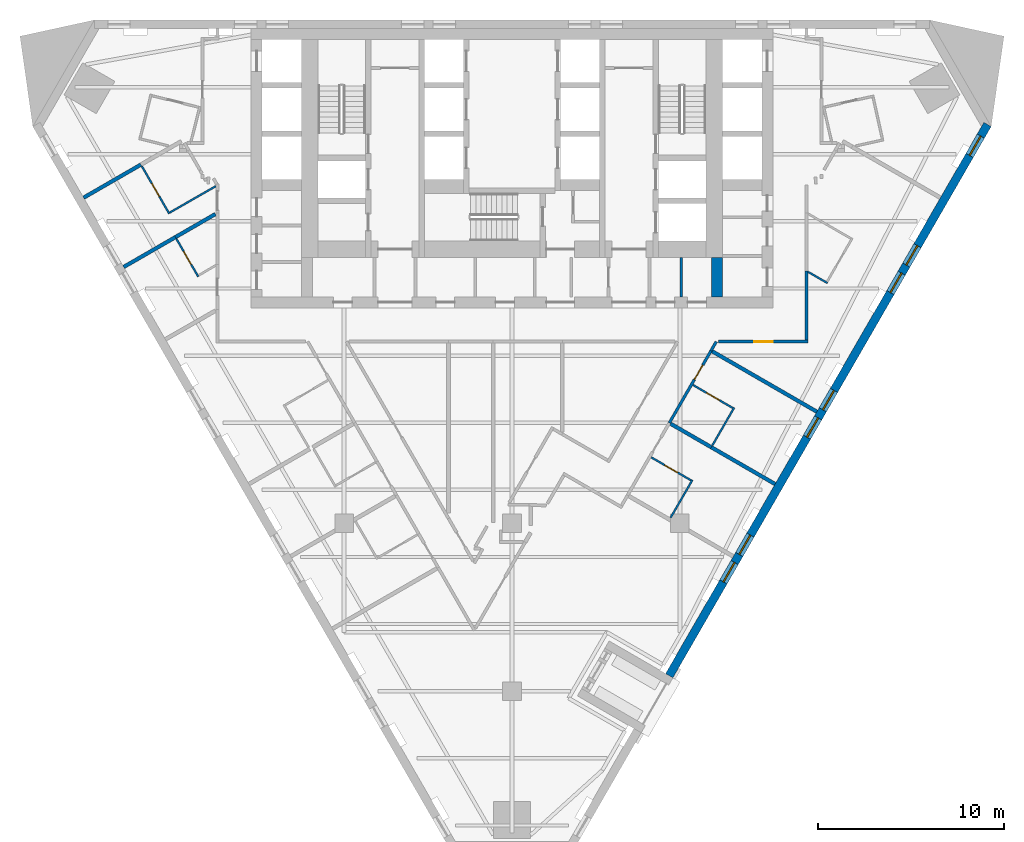
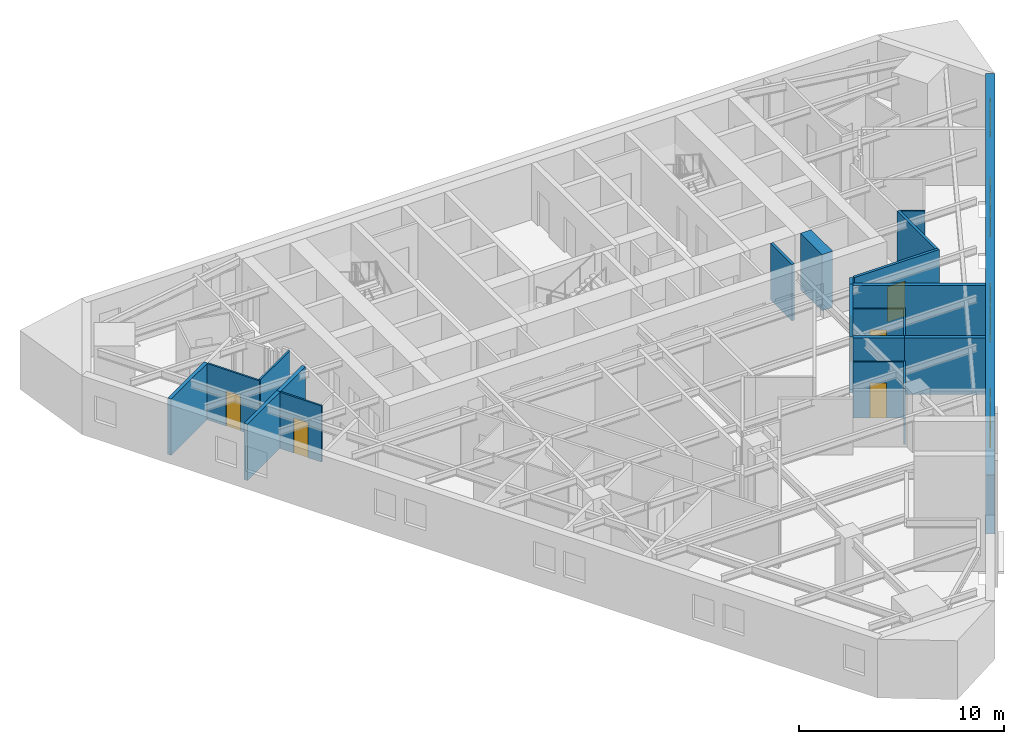
# One storey, part 5 of 11: 21 walls, 7 windows, 6 doors, 13 openings.
"""IFC4 building model written with IfcOpenShell, lengths in metres."""

from ifc_helpers import new_model, si_unit, direction, frame, frame_2d, origin, place, context, subcontext, project, spatial, polyline, rectangle, outline, extrude, material, layer, layer_set, type_object, element, fill, save


model = new_model("IFC4")

# Units and contexts
model_context = context("Model", 3, precision=1e-05, world=origin(), true_north=direction((0.0, 1.0)))
body_context = subcontext(model_context, "Body", "Model", "MODEL_VIEW")
ifc_project = project(units=[si_unit("LENGTHUNIT", "METRE"), si_unit("AREAUNIT", "SQUARE_METRE"), si_unit("VOLUMEUNIT", "CUBIC_METRE"), si_unit("PLANEANGLEUNIT", "RADIAN"), si_unit("MASSUNIT", "GRAM", prefix="KILO")], contexts=[model_context])

# Site, building, storey
site_placement = place(None, origin())
site = spatial("IfcSite", under=ifc_project, at=site_placement, CompositionType="ELEMENT")
building_placement = place(site_placement, origin())
building = spatial("IfcBuilding", under=site, at=building_placement, Name="Aloe Facet Convention Tower", CompositionType="ELEMENT")
storey_placement = place(building_placement, frame((0.0, 0.0, 66.5)))
storey = spatial("IfcBuildingStorey", under=building, at=storey_placement, Name="L15", CompositionType="ELEMENT", Elevation=66.5)

# Walls
ifc_material_1 = material(Name="Concrete blockwork partition", Category="masonry")
ifc_layer_1 = layer(ifc_material_1, 0.14990234375)
ifc_layer_set_1 = layer_set([ifc_layer_1], Name="CR-W-PART150")
wall_type_1 = type_object("IfcWallType", Name="CR-W-PART150", PredefinedType="PARTITIONING", material=ifc_layer_set_1)
wall_1_placement = place(storey_placement, frame((89.074951171875, 122.25, 0.0), z_axis=(0.0, 0.0, 1.0), x_axis=(0.0, -1.0, 0.0)))
element("IfcWall", 1, at=wall_1_placement, inside=storey, type_object=wall_type_1, Name="Core partition L15-046", PredefinedType="PARTITIONING", context=body_context, shape_type="SweptSolid", body=[
    extrude(rectangle(XDim=2.10009765625, YDim=0.14990234375, at=frame_2d((1.050048828125, 0.0))), origin(), (0.0, 0.0, 1.0), 3.35009765625),
])
ifc_material_2 = material(Name="Concrete C80/95", Category="concrete")
ifc_layer_2 = layer(ifc_material_2, 0.60009765625)
ifc_layer_set_2 = layer_set([ifc_layer_2], Name="CR-W-RC600-C8095")
wall_type_2 = type_object("IfcWallType", Name="CR-W-RC600-C8095", PredefinedType="SOLIDWALL", material=ifc_layer_set_2)
wall_2_placement = place(storey_placement, frame((91.0, 122.25, 0.0), z_axis=(0.0, 0.0, 1.0), x_axis=(0.0, -1.0, 0.0)))
element("IfcWall", 2, at=wall_2_placement, inside=storey, type_object=wall_type_2, Name="Core wall L15-048", PredefinedType="SOLIDWALL", context=body_context, shape_type="SweptSolid", body=[
    extrude(rectangle(XDim=2.10009765625, YDim=0.60009765625, at=frame_2d((1.050048828125, 0.0))), origin(), (0.0, 0.0, 1.0), 3.35009765625),
])

# Wall, openings, windows
ifc_material_3 = material(Name="Precast concrete C40/50", Category="concrete")
ifc_layer_3 = layer(ifc_material_3, 0.449951171875)
ifc_layer_set_3 = layer_set([ifc_layer_3], Name="EV-WALL-STONE")
wall_type_3 = type_object("IfcWallType", Name="EV-WALL-STONE", PredefinedType="SOLIDWALL", material=ifc_layer_set_3)
wall_3_placement = place(storey_placement, frame((88.43505859375, 99.83056640625, -0.14990234375), z_axis=(0.0, 0.0, 1.0), x_axis=(0.500000806382, 0.866024938219, 0.0)))
wall_3 = element("IfcWall", 3, at=wall_3_placement, inside=storey, type_object=wall_type_3, Name="EW-L15-E02", PredefinedType="SOLIDWALL", context=body_context, shape_type="SweptSolid", body=[
    extrude(outline(polyline([(34.139892578125, 3.5), (34.139892578125, 0.0), (0.0, 0.0), (0.0, 3.5), (34.139892578125, 3.5)])), frame((0.0, 0.22509765625, 0.0), z_axis=(0.0, -1.0, 0.0), x_axis=(1.0, 0.0, 0.0)), (0.0, 0.0, 1.0), 0.449951171875),
])
opening_1_placement = place(wall_3_placement, frame((5.81005859375, 0.0, 1.050048828125)))
opening_1 = element("IfcOpeningElement", 4, at=opening_1_placement, cuts=wall_3, Name="Opening W-L15-E02", PredefinedType="OPENING", context=body_context, shape_type="SweptSolid", body=[
    extrude(rectangle(XDim=1.199951171875, YDim=1.5, at=frame_2d((0.60009765625, 0.75))), frame((0.0, 0.23486328125, 0.0), z_axis=(0.0, -1.0, 0.0), x_axis=(1.0, 0.0, 0.0)), (0.0, 0.0, 1.0), 0.469970703125),
])
opening_2_placement = place(wall_3_placement, frame((7.510009765625, 0.0, 1.050048828125)))
opening_2 = element("IfcOpeningElement", 5, at=opening_2_placement, cuts=wall_3, Name="Opening W-L15-E03", PredefinedType="OPENING", context=body_context, shape_type="SweptSolid", body=[
    extrude(rectangle(XDim=1.199951171875, YDim=1.5, at=frame_2d((0.60009765625, 0.75))), frame((0.0, 0.23486328125, 0.0), z_axis=(0.0, -1.0, 0.0), x_axis=(1.0, 0.0, 0.0)), (0.0, 0.0, 1.0), 0.469970703125),
])
opening_3_placement = place(wall_3_placement, frame((14.77001953125, 0.0, 1.050048828125)))
opening_3 = element("IfcOpeningElement", 6, at=opening_3_placement, cuts=wall_3, Name="Opening W-L15-E04", PredefinedType="OPENING", context=body_context, shape_type="SweptSolid", body=[
    extrude(rectangle(XDim=1.199951171875, YDim=1.5, at=frame_2d((0.60009765625, 0.75))), frame((0.0, 0.23486328125, 0.0), z_axis=(0.0, -1.0, 0.0), x_axis=(1.0, 0.0, 0.0)), (0.0, 0.0, 1.0), 0.469970703125),
])
opening_4_placement = place(wall_3_placement, frame((16.469970703125, 0.0, 1.050048828125)))
opening_4 = element("IfcOpeningElement", 7, at=opening_4_placement, cuts=wall_3, Name="Opening W-L15-E05", PredefinedType="OPENING", context=body_context, shape_type="SweptSolid", body=[
    extrude(rectangle(XDim=1.199951171875, YDim=1.5, at=frame_2d((0.60009765625, 0.75))), frame((0.0, 0.23486328125, 0.0), z_axis=(0.0, -1.0, 0.0), x_axis=(1.0, 0.0, 0.0)), (0.0, 0.0, 1.0), 0.469970703125),
])
opening_5_placement = place(wall_3_placement, frame((23.72998046875, 0.0, 1.050048828125)))
opening_5 = element("IfcOpeningElement", 8, at=opening_5_placement, cuts=wall_3, Name="Opening W-L15-E06", PredefinedType="OPENING", context=body_context, shape_type="SweptSolid", body=[
    extrude(rectangle(XDim=1.199951171875, YDim=1.5, at=frame_2d((0.60009765625, 0.75))), frame((0.0, 0.23486328125, 0.0), z_axis=(0.0, -1.0, 0.0), x_axis=(1.0, 0.0, 0.0)), (0.0, 0.0, 1.0), 0.469970703125),
])
opening_6_placement = place(wall_3_placement, frame((25.429931640625, 0.0, 1.050048828125)))
opening_6 = element("IfcOpeningElement", 9, at=opening_6_placement, cuts=wall_3, Name="Opening W-L15-E07", PredefinedType="OPENING", context=body_context, shape_type="SweptSolid", body=[
    extrude(rectangle(XDim=1.199951171875, YDim=1.5, at=frame_2d((0.60009765625, 0.75))), frame((0.0, 0.23486328125, 0.0), z_axis=(0.0, -1.0, 0.0), x_axis=(1.0, 0.0, 0.0)), (0.0, 0.0, 1.0), 0.469970703125),
])
opening_7_placement = place(wall_3_placement, frame((32.2177734375, 0.0, 1.050048828125)))
opening_7 = element("IfcOpeningElement", 10, at=opening_7_placement, cuts=wall_3, Name="Opening W-L15-E08", PredefinedType="OPENING", context=body_context, shape_type="SweptSolid", body=[
    extrude(rectangle(XDim=1.199951171875, YDim=1.5, at=frame_2d((0.60009765625, 0.75))), frame((0.0, 0.23486328125, 0.0), z_axis=(0.0, -1.0, 0.0), x_axis=(1.0, 0.0, 0.0)), (0.0, 0.0, 1.0), 0.469970703125),
])
ifc_material_4 = material(Name="Aluminium frame, clear double glazing", Category="aluminium")
window_type = type_object("IfcWindowType", Name="EV-WIN-H12", PartitioningType="SINGLE_PANEL", PredefinedType="WINDOW", material=ifc_material_4)
window_1_placement = place(opening_1_placement, origin())
window_1 = element("IfcWindow", 11, at=window_1_placement, inside=storey, type_object=window_type, Name="W-L15-E02", OverallHeight=1.5, OverallWidth=1.199951171875, PartitioningType="SINGLE_PANEL", PredefinedType="WINDOW", context=body_context, shape_type="SweptSolid", body=[
    extrude(rectangle(XDim=1.199951171875, YDim=1.5, at=frame_2d((0.60009765625, 0.75))), frame((0.0, 0.030029296875, 0.0), z_axis=(0.0, -1.0, 0.0), x_axis=(1.0, 0.0, 0.0)), (0.0, 0.0, 1.0), 0.06005859375),
])
fill(opening_1, window_1)
window_2_placement = place(opening_2_placement, origin())
window_2 = element("IfcWindow", 12, at=window_2_placement, inside=storey, type_object=window_type, Name="W-L15-E03", OverallHeight=1.5, OverallWidth=1.199951171875, PartitioningType="SINGLE_PANEL", PredefinedType="WINDOW", context=body_context, shape_type="SweptSolid", body=[
    extrude(rectangle(XDim=1.199951171875, YDim=1.5, at=frame_2d((0.60009765625, 0.75))), frame((0.0, 0.030029296875, 0.0), z_axis=(0.0, -1.0, 0.0), x_axis=(1.0, 0.0, 0.0)), (0.0, 0.0, 1.0), 0.06005859375),
])
fill(opening_2, window_2)
window_3_placement = place(opening_3_placement, origin())
window_3 = element("IfcWindow", 13, at=window_3_placement, inside=storey, type_object=window_type, Name="W-L15-E04", OverallHeight=1.5, OverallWidth=1.199951171875, PartitioningType="SINGLE_PANEL", PredefinedType="WINDOW", context=body_context, shape_type="SweptSolid", body=[
    extrude(rectangle(XDim=1.199951171875, YDim=1.5, at=frame_2d((0.60009765625, 0.75))), frame((0.0, 0.030029296875, 0.0), z_axis=(0.0, -1.0, 0.0), x_axis=(1.0, 0.0, 0.0)), (0.0, 0.0, 1.0), 0.06005859375),
])
fill(opening_3, window_3)
window_4_placement = place(opening_4_placement, origin())
window_4 = element("IfcWindow", 14, at=window_4_placement, inside=storey, type_object=window_type, Name="W-L15-E05", OverallHeight=1.5, OverallWidth=1.199951171875, PartitioningType="SINGLE_PANEL", PredefinedType="WINDOW", context=body_context, shape_type="SweptSolid", body=[
    extrude(rectangle(XDim=1.199951171875, YDim=1.5, at=frame_2d((0.60009765625, 0.75))), frame((0.0, 0.030029296875, 0.0), z_axis=(0.0, -1.0, 0.0), x_axis=(1.0, 0.0, 0.0)), (0.0, 0.0, 1.0), 0.06005859375),
])
fill(opening_4, window_4)
window_5_placement = place(opening_5_placement, origin())
window_5 = element("IfcWindow", 15, at=window_5_placement, inside=storey, type_object=window_type, Name="W-L15-E06", OverallHeight=1.5, OverallWidth=1.199951171875, PartitioningType="SINGLE_PANEL", PredefinedType="WINDOW", context=body_context, shape_type="SweptSolid", body=[
    extrude(rectangle(XDim=1.199951171875, YDim=1.5, at=frame_2d((0.60009765625, 0.75))), frame((0.0, 0.030029296875, 0.0), z_axis=(0.0, -1.0, 0.0), x_axis=(1.0, 0.0, 0.0)), (0.0, 0.0, 1.0), 0.06005859375),
])
fill(opening_5, window_5)
window_6_placement = place(opening_6_placement, origin())
window_6 = element("IfcWindow", 16, at=window_6_placement, inside=storey, type_object=window_type, Name="W-L15-E07", OverallHeight=1.5, OverallWidth=1.199951171875, PartitioningType="SINGLE_PANEL", PredefinedType="WINDOW", context=body_context, shape_type="SweptSolid", body=[
    extrude(rectangle(XDim=1.199951171875, YDim=1.5, at=frame_2d((0.60009765625, 0.75))), frame((0.0, 0.030029296875, 0.0), z_axis=(0.0, -1.0, 0.0), x_axis=(1.0, 0.0, 0.0)), (0.0, 0.0, 1.0), 0.06005859375),
])
fill(opening_6, window_6)
window_7_placement = place(opening_7_placement, origin())
window_7 = element("IfcWindow", 17, at=window_7_placement, inside=storey, type_object=window_type, Name="W-L15-E08", OverallHeight=1.5, OverallWidth=1.199951171875, PartitioningType="SINGLE_PANEL", PredefinedType="WINDOW", context=body_context, shape_type="SweptSolid", body=[
    extrude(rectangle(XDim=1.199951171875, YDim=1.5, at=frame_2d((0.60009765625, 0.75))), frame((0.0, 0.030029296875, 0.0), z_axis=(0.0, -1.0, 0.0), x_axis=(1.0, 0.0, 0.0)), (0.0, 0.0, 1.0), 0.06005859375),
])
fill(opening_7, window_7)

# Wall, opening, door
ifc_material_5 = material(Name="Gypsum board partition on steel studs", Category="steel")
ifc_layer_4 = layer(ifc_material_5, 0.14990234375)
ifc_layer_set_4 = layer_set([ifc_layer_4], Name="IN-W-CORR")
wall_type_4 = type_object("IfcWallType", Name="IN-W-CORR", PredefinedType="PARTITIONING", material=ifc_layer_set_4)
wall_4_placement = place(storey_placement, frame((88.437744140625, 113.38525390625, 0.0), z_axis=(0.0, 0.0, 1.0), x_axis=(0.499989762656, 0.866031314237, 0.0)))
wall_4 = element("IfcWall", 18, at=wall_4_placement, inside=storey, type_object=wall_type_4, Name="Partition L15-W059", PredefinedType="PARTITIONING", context=body_context, shape_type="SweptSolid", body=[
    extrude(rectangle(XDim=4.47998046875, YDim=0.14990234375, at=frame_2d((2.239990234375, 0.0))), origin(), (0.0, 0.0, 1.0), 3.35009765625),
])
opening_8_placement = place(wall_4_placement, frame((2.68408203125, 0.0, 0.0)))
opening_8 = element("IfcOpeningElement", 19, at=opening_8_placement, cuts=wall_4, Name="Opening L15-009", PredefinedType="OPENING", context=body_context, shape_type="SweptSolid", body=[
    extrude(rectangle(XDim=0.89990234375, YDim=2.10009765625, at=frame_2d((0.449951171875, 1.050048828125))), frame((0.0, 0.0849609375, 0.0), z_axis=(0.0, -1.0, 0.0), x_axis=(1.0, 0.0, 0.0)), (0.0, 0.0, 1.0), 0.169921875),
])
ifc_material_6 = material(Name="Hardwood flush door FD30S", Category="wood")
door_type_1 = type_object("IfcDoorType", Name="IN-D-GUEST", OperationType="SINGLE_SWING_LEFT", PredefinedType="DOOR", material=ifc_material_6)
door_1_placement = place(opening_8_placement, origin())
door_1 = element("IfcDoor", 20, at=door_1_placement, inside=storey, type_object=door_type_1, Name="Door L15-009", OperationType="SINGLE_SWING_LEFT", OverallHeight=2.10009765625, OverallWidth=0.89990234375, PredefinedType="DOOR", context=body_context, shape_type="SweptSolid", body=[
    extrude(rectangle(XDim=0.89990234375, YDim=2.10009765625, at=frame_2d((0.449951171875, 1.050048828125))), frame((0.0, 0.02490234375, 0.0), z_axis=(0.0, -1.0, 0.0), x_axis=(1.0, 0.0, 0.0)), (0.0, 0.0, 1.0), 0.050048828125),
])
fill(opening_8, door_1)

# Wall
wall_5_placement = place(storey_placement, frame((90.677734375, 117.26513671875, 0.0), z_axis=(0.0, 0.0, 1.0), x_axis=(0.50012503653, 0.865953201874, 0.0)))
element("IfcWall", 21, at=wall_5_placement, inside=storey, type_object=wall_type_4, Name="Partition L15-W067", PredefinedType="PARTITIONING", context=body_context, shape_type="SweptSolid", body=[
    extrude(rectangle(XDim=0.559814453125, YDim=0.14990234375, at=frame_2d((0.27978515625, 0.0))), origin(), (0.0, 0.0, 1.0), 3.35009765625),
])

# Wall, opening, door
wall_6_placement = place(storey_placement, frame((91.087646484375, 117.75, 0.0), z_axis=(0.0, 0.0, 1.0), x_axis=(1.0, 0.0, 0.0)))
wall_6 = element("IfcWall", 22, at=wall_6_placement, inside=storey, type_object=wall_type_4, Name="Partition L15-W068", PredefinedType="PARTITIONING", context=body_context, shape_type="SweptSolid", body=[
    extrude(rectangle(XDim=4.787353515625, YDim=0.14990234375, at=frame_2d((2.3935546875, 0.0))), origin(), (0.0, 0.0, 1.0), 3.35009765625),
])
opening_9_placement = place(wall_6_placement, frame((1.8935546875, 0.0, 0.0)))
opening_9 = element("IfcOpeningElement", 23, at=opening_9_placement, cuts=wall_6, Name="Opening L15-010", PredefinedType="OPENING", context=body_context, shape_type="SweptSolid", body=[
    extrude(rectangle(XDim=1.0, YDim=2.10009765625, at=frame_2d((0.5, 1.050048828125))), frame((0.0, 0.0849609375, 0.0), z_axis=(0.0, -1.0, 0.0), x_axis=(1.0, 0.0, 0.0)), (0.0, 0.0, 1.0), 0.169921875),
])
ifc_material_7 = material(Name="Hardwood flush door FD30S", Category="wood")
door_type_2 = type_object("IfcDoorType", Name="IN-D-WIDE", OperationType="SINGLE_SWING_LEFT", PredefinedType="DOOR", material=ifc_material_7)
door_2_placement = place(opening_9_placement, origin())
door_2 = element("IfcDoor", 24, at=door_2_placement, inside=storey, type_object=door_type_2, Name="Door L15-010", OperationType="SINGLE_SWING_LEFT", OverallHeight=2.10009765625, OverallWidth=1.0, PredefinedType="DOOR", context=body_context, shape_type="SweptSolid", body=[
    extrude(rectangle(XDim=1.0, YDim=2.10009765625, at=frame_2d((0.5, 1.050048828125))), frame((0.0, 0.02490234375, 0.0), z_axis=(0.0, -1.0, 0.0), x_axis=(1.0, 0.0, 0.0)), (0.0, 0.0, 1.0), 0.050048828125),
])
fill(opening_9, door_2)

# Walls
wall_7_placement = place(storey_placement, frame((95.800048828125, 117.824951171875, 0.0), z_axis=(0.0, 0.0, 1.0), x_axis=(0.0, 1.0, 0.0)))
element("IfcWall", 25, at=wall_7_placement, inside=storey, type_object=wall_type_4, Name="Partition L15-W074", PredefinedType="PARTITIONING", context=body_context, shape_type="SweptSolid", body=[
    extrude(rectangle(XDim=3.711181640625, YDim=0.14990234375, at=frame_2d((1.85546875, 0.0))), origin(), (0.0, 0.0, 1.0), 3.35009765625),
])
ifc_material_8 = material(Name="Gypsum board partition on steel studs", Category="steel")
ifc_layer_5 = layer(ifc_material_8, 0.10009765625)
ifc_layer_set_5 = layer_set([ifc_layer_5], Name="IN-W-PART")
wall_type_5 = type_object("IfcWallType", Name="IN-W-PART", PredefinedType="PARTITIONING", material=ifc_layer_set_5)
wall_8_placement = place(storey_placement, frame((88.50439453125, 108.30078125, 0.0), z_axis=(0.0, 0.0, 1.0), x_axis=(0.500077683152, 0.86598054875, 0.0)))
element("IfcWall", 26, at=wall_8_placement, inside=storey, type_object=wall_type_5, Name="Partition L15-W036", PredefinedType="PARTITIONING", context=body_context, shape_type="SweptSolid", body=[
    extrude(rectangle(XDim=2.340087890625, YDim=0.10009765625, at=frame_2d((1.169921875, 0.0))), origin(), (0.0, 0.0, 1.0), 3.35009765625),
])

# Wall, opening, door
wall_9_placement = place(storey_placement, frame((87.471435546875, 111.54150390625, 0.0), z_axis=(0.0, 0.0, 1.0), x_axis=(0.865997559407, -0.500048224776, 0.0)))
wall_9 = element("IfcWall", 27, at=wall_9_placement, inside=storey, type_object=wall_type_5, Name="Partition L15-W040", PredefinedType="PARTITIONING", context=body_context, shape_type="SweptSolid", body=[
    extrude(rectangle(XDim=2.465087890625, YDim=0.10009765625, at=frame_2d((1.232421875, 0.0))), origin(), (0.0, 0.0, 1.0), 3.35009765625),
])
opening_10_placement = place(wall_9_placement, frame((0.83251953125, 0.0, 0.0)))
opening_10 = element("IfcOpeningElement", 28, at=opening_10_placement, cuts=wall_9, Name="Opening L15-023", PredefinedType="OPENING", context=body_context, shape_type="SweptSolid", body=[
    extrude(rectangle(XDim=0.800048828125, YDim=2.10009765625, at=frame_2d((0.39990234375, 1.050048828125))), frame((0.0, 0.06005859375, 0.0), z_axis=(0.0, -1.0, 0.0), x_axis=(1.0, 0.0, 0.0)), (0.0, 0.0, 1.0), 0.1201171875),
])
ifc_material_9 = material(Name="Timber flush door", Category="wood")
door_type_3 = type_object("IfcDoorType", Name="IN-D-BATH", OperationType="SINGLE_SWING_LEFT", PredefinedType="DOOR", material=ifc_material_9)
door_3_placement = place(opening_10_placement, origin())
door_3 = element("IfcDoor", 29, at=door_3_placement, inside=storey, type_object=door_type_3, Name="Door L15-023", OperationType="SINGLE_SWING_LEFT", OverallHeight=2.10009765625, OverallWidth=0.800048828125, PredefinedType="DOOR", context=body_context, shape_type="SweptSolid", body=[
    extrude(rectangle(XDim=0.800048828125, YDim=2.10009765625, at=frame_2d((0.39990234375, 1.050048828125))), frame((0.0, 0.02490234375, 0.0), z_axis=(0.0, -1.0, 0.0), x_axis=(1.0, 0.0, 0.0)), (0.0, 0.0, 1.0), 0.050048828125),
])
fill(opening_10, door_3)

# Wall
wall_10_placement = place(storey_placement, frame((90.744384765625, 112.180419921875, 0.0), z_axis=(0.0, 0.0, 1.0), x_axis=(0.500032503492, 0.866006637072, 0.0)))
element("IfcWall", 30, at=wall_10_placement, inside=storey, type_object=wall_type_5, Name="Partition L15-W054", PredefinedType="PARTITIONING", context=body_context, shape_type="SweptSolid", body=[
    extrude(rectangle(XDim=2.340087890625, YDim=0.10009765625, at=frame_2d((1.169921875, 0.0))), origin(), (0.0, 0.0, 1.0), 3.35009765625),
])

# Wall, opening, door
wall_11_placement = place(storey_placement, frame((89.71142578125, 115.421142578125, 0.0), z_axis=(0.0, 0.0, 1.0), x_axis=(0.866040446274, -0.499973944738, 0.0)))
wall_11 = element("IfcWall", 31, at=wall_11_placement, inside=storey, type_object=wall_type_5, Name="Partition L15-W056", PredefinedType="PARTITIONING", context=body_context, shape_type="SweptSolid", body=[
    extrude(rectangle(XDim=2.465087890625, YDim=0.10009765625, at=frame_2d((1.232421875, 0.0))), origin(), (0.0, 0.0, 1.0), 3.35009765625),
])
opening_11_placement = place(wall_11_placement, frame((0.83251953125, 0.0, 0.0)))
opening_11 = element("IfcOpeningElement", 32, at=opening_11_placement, cuts=wall_11, Name="Opening L15-024", PredefinedType="OPENING", context=body_context, shape_type="SweptSolid", body=[
    extrude(rectangle(XDim=0.800048828125, YDim=2.10009765625, at=frame_2d((0.39990234375, 1.050048828125))), frame((0.0, 0.06005859375, 0.0), z_axis=(0.0, -1.0, 0.0), x_axis=(1.0, 0.0, 0.0)), (0.0, 0.0, 1.0), 0.1201171875),
])
door_4_placement = place(opening_11_placement, origin())
door_4 = element("IfcDoor", 33, at=door_4_placement, inside=storey, type_object=door_type_3, Name="Door L15-024", OperationType="SINGLE_SWING_LEFT", OverallHeight=2.10009765625, OverallWidth=0.800048828125, PredefinedType="DOOR", context=body_context, shape_type="SweptSolid", body=[
    extrude(rectangle(XDim=0.800048828125, YDim=2.10009765625, at=frame_2d((0.39990234375, 1.050048828125))), frame((0.0, 0.02490234375, 0.0), z_axis=(0.0, -1.0, 0.0), x_axis=(1.0, 0.0, 0.0)), (0.0, 0.0, 1.0), 0.050048828125),
])
fill(opening_11, door_4)

# Wall
wall_12_placement = place(storey_placement, frame((95.88232421875, 121.48876953125, 0.0), z_axis=(0.0, 0.0, 1.0), x_axis=(0.865998640954, -0.500046351717, 0.0)))
element("IfcWall", 34, at=wall_12_placement, inside=storey, type_object=wall_type_5, Name="Partition L15-W071", PredefinedType="PARTITIONING", context=body_context, shape_type="SweptSolid", body=[
    extrude(rectangle(XDim=1.1962890625, YDim=0.10009765625, at=frame_2d((0.59814453125, 0.0))), origin(), (0.0, 0.0, 1.0), 3.35009765625),
])

# Wall, opening, door
wall_13_placement = place(storey_placement, frame((62.00341796875, 123.258544921875, 0.0), z_axis=(0.0, 0.0, 1.0), x_axis=(0.499999433879, -0.866025730634, 0.0)))
wall_13 = element("IfcWall", 35, at=wall_13_placement, inside=storey, type_object=wall_type_5, Name="Partition L15-W072", PredefinedType="PARTITIONING", context=body_context, shape_type="SweptSolid", body=[
    extrude(rectangle(XDim=2.33984375, YDim=0.10009765625, at=frame_2d((1.169921875, 0.0))), origin(), (0.0, 0.0, 1.0), 3.35009765625),
])
opening_12_placement = place(wall_13_placement, frame((0.77001953125, 0.0, 0.0)))
opening_12 = element("IfcOpeningElement", 36, at=opening_12_placement, cuts=wall_13, Name="Opening L15-019", PredefinedType="OPENING", context=body_context, shape_type="SweptSolid", body=[
    extrude(rectangle(XDim=0.800048828125, YDim=2.10009765625, at=frame_2d((0.39990234375, 1.050048828125))), frame((0.0, 0.06005859375, 0.0), z_axis=(0.0, -1.0, 0.0), x_axis=(1.0, 0.0, 0.0)), (0.0, 0.0, 1.0), 0.1201171875),
])
door_5_placement = place(opening_12_placement, origin())
door_5 = element("IfcDoor", 37, at=door_5_placement, inside=storey, type_object=door_type_3, Name="Door L15-019", OperationType="SINGLE_SWING_LEFT", OverallHeight=2.10009765625, OverallWidth=0.800048828125, PredefinedType="DOOR", context=body_context, shape_type="SweptSolid", body=[
    extrude(rectangle(XDim=0.800048828125, YDim=2.10009765625, at=frame_2d((0.39990234375, 1.050048828125))), frame((0.0, 0.02490234375, 0.0), z_axis=(0.0, -1.0, 0.0), x_axis=(1.0, 0.0, 0.0)), (0.0, 0.0, 1.0), 0.050048828125),
])
fill(opening_12, door_5)

wall_14_placement = place(storey_placement, frame((60.152099609375, 127.148193359375, 0.0), z_axis=(0.0, 0.0, 1.0), x_axis=(0.499974916818, -0.866039885082, 0.0)))
wall_14 = element("IfcWall", 38, at=wall_14_placement, inside=storey, type_object=wall_type_5, Name="Partition L15-W080", PredefinedType="PARTITIONING", context=body_context, shape_type="SweptSolid", body=[
    extrude(rectangle(XDim=2.929931640625, YDim=0.10009765625, at=frame_2d((1.46484375, 0.0))), origin(), (0.0, 0.0, 1.0), 3.35009765625),
])
opening_13_placement = place(wall_14_placement, frame((1.06494140625, 0.0, 0.0)))
opening_13 = element("IfcOpeningElement", 39, at=opening_13_placement, cuts=wall_14, Name="Opening L15-018", PredefinedType="OPENING", context=body_context, shape_type="SweptSolid", body=[
    extrude(rectangle(XDim=0.800048828125, YDim=2.10009765625, at=frame_2d((0.39990234375, 1.050048828125))), frame((0.0, 0.06005859375, 0.0), z_axis=(0.0, -1.0, 0.0), x_axis=(1.0, 0.0, 0.0)), (0.0, 0.0, 1.0), 0.1201171875),
])
door_6_placement = place(opening_13_placement, origin())
door_6 = element("IfcDoor", 40, at=door_6_placement, inside=storey, type_object=door_type_3, Name="Door L15-018", OperationType="SINGLE_SWING_LEFT", OverallHeight=2.10009765625, OverallWidth=0.800048828125, PredefinedType="DOOR", context=body_context, shape_type="SweptSolid", body=[
    extrude(rectangle(XDim=0.800048828125, YDim=2.10009765625, at=frame_2d((0.39990234375, 1.050048828125))), frame((0.0, 0.02490234375, 0.0), z_axis=(0.0, -1.0, 0.0), x_axis=(1.0, 0.0, 0.0)), (0.0, 0.0, 1.0), 0.050048828125),
])
fill(opening_13, door_6)

# Walls
wall_15_placement = place(storey_placement, frame((61.640380859375, 124.670166015625, 0.0), z_axis=(0.0, 0.0, 1.0), x_axis=(0.867663718476, 0.497151558019, 0.0)))
element("IfcWall", 41, at=wall_15_placement, inside=storey, type_object=wall_type_5, Name="Partition L15-W086", PredefinedType="PARTITIONING", context=body_context, shape_type="SweptSolid", body=[
    extrude(rectangle(XDim=2.855224609375, YDim=0.10009765625, at=frame_2d((1.427734375, 0.0))), origin(), (0.0, 0.0, 1.0), 3.35009765625),
])
ifc_material_10 = material(Name="Gypsum board partition on steel studs", Category="steel")
ifc_layer_6 = layer(ifc_material_10, 0.199951171875)
ifc_layer_set_6 = layer_set([ifc_layer_6], Name="IN-W-PARTY")
wall_type_6 = type_object("IfcWallType", Name="IN-W-PARTY", PredefinedType="PARTITIONING", material=ifc_layer_set_6)
wall_16_placement = place(storey_placement, frame((90.689453125, 112.085205078125, 0.0), z_axis=(0.0, 0.0, 1.0), x_axis=(0.866047669374, -0.499961432884, 0.0)))
element("IfcWall", 42, at=wall_16_placement, inside=storey, type_object=wall_type_6, Name="Partition L15-W035", PredefinedType="PARTITIONING", context=body_context, shape_type="SweptSolid", body=[
    extrude(rectangle(XDim=3.949951171875, YDim=0.199951171875, at=frame_2d((1.97509765625, 0.0))), origin(), (0.0, 0.0, 1.0), 3.35009765625),
])
wall_17_placement = place(storey_placement, frame((88.511474609375, 113.3427734375, 0.0), z_axis=(0.0, 0.0, 1.0), x_axis=(0.866006140796, -0.500033362991, 0.0)))
element("IfcWall", 43, at=wall_17_placement, inside=storey, type_object=wall_type_6, Name="Partition L15-W043", PredefinedType="PARTITIONING", context=body_context, shape_type="SweptSolid", body=[
    extrude(rectangle(XDim=2.514892578125, YDim=0.199951171875, at=frame_2d((1.25732421875, 0.0))), origin(), (0.0, 0.0, 1.0), 3.35009765625),
])
wall_18_placement = place(storey_placement, frame((90.74267578125, 117.2275390625, 0.0), z_axis=(0.0, 0.0, 1.0), x_axis=(0.866027988781, -0.499995522627, 0.0)))
element("IfcWall", 44, at=wall_18_placement, inside=storey, type_object=wall_type_6, Name="Partition L15-W053", PredefinedType="PARTITIONING", context=body_context, shape_type="SweptSolid", body=[
    extrude(rectangle(XDim=6.47509765625, YDim=0.199951171875, at=frame_2d((3.237548828125, 0.0))), origin(), (0.0, 0.0, 1.0), 3.35009765625),
])
wall_19_placement = place(storey_placement, frame((59.169677734375, 121.749755859375, 0.0), z_axis=(0.0, 0.0, 1.0), x_axis=(0.866019585306, 0.500010077765, 0.0)))
element("IfcWall", 45, at=wall_19_placement, inside=storey, type_object=wall_type_6, Name="Partition L15-W075", PredefinedType="PARTITIONING", context=body_context, shape_type="SweptSolid", body=[
    extrude(rectangle(XDim=3.20849609375, YDim=0.199951171875, at=frame_2d((1.604248046875, 0.0))), origin(), (0.0, 0.0, 1.0), 3.35009765625),
])
wall_20_placement = place(storey_placement, frame((61.9482421875, 123.35400390625, 0.0), z_axis=(0.0, 0.0, 1.0), x_axis=(0.866073894602, 0.499916002032, 0.0)))
element("IfcWall", 46, at=wall_20_placement, inside=storey, type_object=wall_type_6, Name="Partition L15-W078", PredefinedType="PARTITIONING", context=body_context, shape_type="SweptSolid", body=[
    extrude(rectangle(XDim=2.47509765625, YDim=0.199951171875, at=frame_2d((1.237548828125, 0.0))), origin(), (0.0, 0.0, 1.0), 3.35009765625),
])
wall_21_placement = place(storey_placement, frame((57.022705078125, 125.468505859375, 0.0), z_axis=(0.0, 0.0, 1.0), x_axis=(0.866025242659, 0.500000279077, 0.0)))
element("IfcWall", 47, at=wall_21_placement, inside=storey, type_object=wall_type_6, Name="Partition L15-W083", PredefinedType="PARTITIONING", context=body_context, shape_type="SweptSolid", body=[
    extrude(rectangle(XDim=3.5498046875, YDim=0.199951171875, at=frame_2d((1.77490234375, 0.0))), origin(), (0.0, 0.0, 1.0), 3.35009765625),
])

save(model, "model.ifc")
